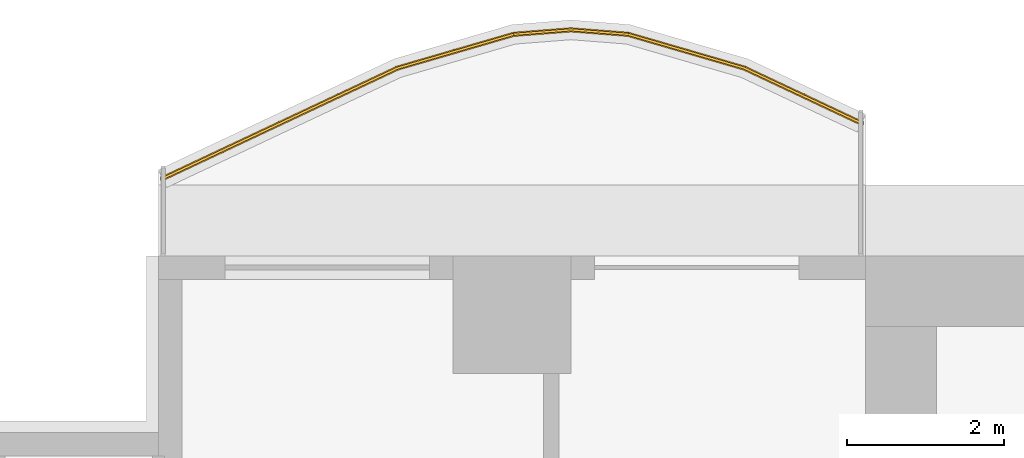
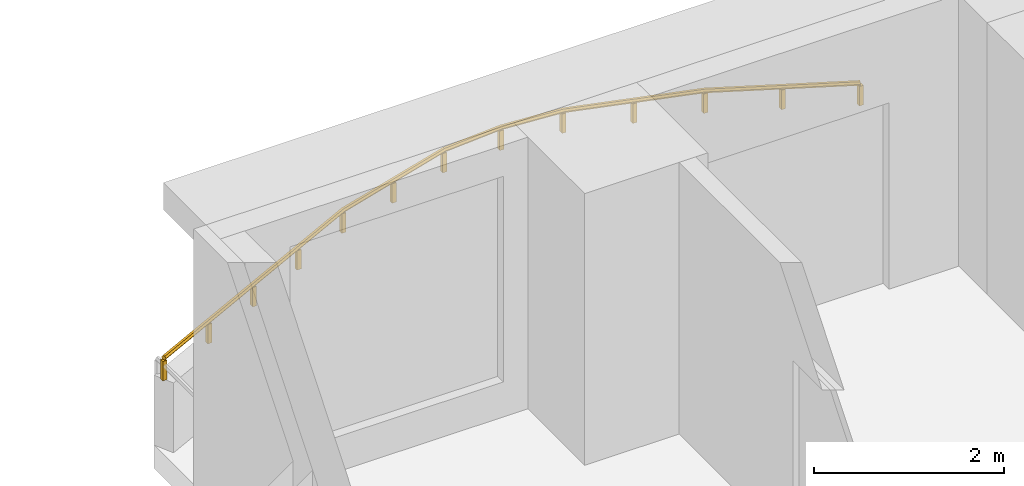
# One storey, part 13 of 14: 1 railing.
"""IFC4 building model written with IfcOpenShell, lengths in metres."""

from ifc_helpers import new_model, si_unit, direction, frame, origin, origin_2d, place, context, subcontext, project, spatial, polyline, rectangle, outline, extrude, material, type_object, element, save


model = new_model("IFC4")

# Units and contexts
model_context = context("Model", 3, precision=1e-05, world=origin(), true_north=direction((0.0, 1.0)))
body_context = subcontext(model_context, "Body", "Model", "MODEL_VIEW")
ifc_project = project(units=[si_unit("LENGTHUNIT", "METRE"), si_unit("AREAUNIT", "SQUARE_METRE"), si_unit("VOLUMEUNIT", "CUBIC_METRE"), si_unit("PLANEANGLEUNIT", "RADIAN"), si_unit("MASSUNIT", "GRAM", prefix="KILO")], contexts=[model_context])

# Site, building, storey
site_placement = place(None, origin())
site = spatial("IfcSite", under=ifc_project, at=site_placement, CompositionType="ELEMENT")
building_placement = place(site_placement, origin())
building = spatial("IfcBuilding", under=site, at=building_placement, Name="Orbiselva Terraces", CompositionType="ELEMENT")
storey_placement = place(building_placement, frame((0.0, 0.0, 15.0)))
storey = spatial("IfcBuildingStorey", under=building, at=storey_placement, Name="L03", CompositionType="ELEMENT", Elevation=15.0)

# Railing
ifc_material = material(Name="Bonded two-ply safety glass balustrade, stainless steel posts", Category="steel")
railing_type = type_object("IfcRailingType", Name="ENV-BALUSTRADE-1200", PredefinedType="BALUSTRADE", material=ifc_material)
railing_placement = place(storey_placement, frame((-13.553191, 24.186882, 0.9)))
element("IfcRailing", 1, at=railing_placement, inside=storey, type_object=railing_type, Name="Balcony balustrade L03 NW", PredefinedType="BALUSTRADE", context=body_context, shape_type="SweptSolid", body=[
    extrude(outline(polyline([(0.028868, 0.0), (0.014434, 0.025), (-0.014434, 0.025), (-0.028868, 0.0), (-0.014434, -0.025), (0.014434, -0.025), (0.028868, 0.0)])), frame((0.0, 0.0, 0.275), z_axis=(-0.904944359461, 0.425529912322, 0.0), x_axis=(-0.425529912322, -0.904944359461, 0.0)), (0.0, 0.0, 1.0), 1.647746),
    extrude(outline(polyline([(0.028868, 0.0), (0.014434, 0.025), (-0.014434, 0.025), (-0.028868, 0.0), (-0.014434, -0.025), (0.014434, -0.025), (0.028868, 0.0)])), frame((-1.491118, 0.701165, 0.275), z_axis=(-0.960270317007, 0.279071528957, 0.0), x_axis=(-0.279071528957, -0.960270317007, 0.0)), (0.0, 0.0, 1.0), 1.539408),
    extrude(outline(polyline([(0.028868, 0.0), (0.014434, 0.025), (-0.014434, 0.025), (-0.028868, 0.0), (-0.014434, -0.025), (0.014434, -0.025), (0.028868, 0.0)])), frame((-2.969366, 1.13077, 0.275), z_axis=(-0.996947916106, 0.078069536776, 0.0), x_axis=(-0.078069536776, -0.996947916106, 0.0)), (0.0, 0.0, 1.0), 0.72967),
    extrude(outline(polyline([(0.028868, 0.0), (0.014434, 0.025), (-0.014434, 0.025), (-0.028868, 0.0), (-0.014434, -0.025), (0.014434, -0.025), (0.028868, 0.0)])), frame((-3.696809, 1.187735, 0.275), z_axis=(-0.996947916106, -0.078069536776, 0.0), x_axis=(0.078069536776, -0.996947916106, 0.0)), (0.0, 0.0, 1.0), 0.72967),
    extrude(outline(polyline([(0.028868, 0.0), (0.014434, 0.025), (-0.014434, 0.025), (-0.028868, 0.0), (-0.014434, -0.025), (0.014434, -0.025), (0.028868, 0.0)])), frame((-4.424252, 1.13077, 0.275), z_axis=(-0.960270317007, -0.279071528957, 0.0), x_axis=(0.279071528957, -0.960270317007, 0.0)), (0.0, 0.0, 1.0), 1.539408),
    extrude(outline(polyline([(0.028868, 0.0), (0.014434, 0.025), (-0.014434, 0.025), (-0.028868, 0.0), (-0.014434, -0.025), (0.014434, -0.025), (0.028868, 0.0)])), frame((-5.9025, 0.701165, 0.275), z_axis=(-0.904944359461, -0.425529912322, 0.0), x_axis=(0.425529912322, -0.904944359461, 0.0)), (0.0, 0.0, 1.0), 1.647746),
    extrude(outline(polyline([(0.028868, 0.0), (0.014434, 0.025), (-0.014434, 0.025), (-0.028868, 0.0), (-0.014434, -0.025), (0.014434, -0.025), (0.028868, 0.0)])), frame((-7.393618, 0.0, 0.275), z_axis=(-0.904944257823, -0.425530128467, 0.0), x_axis=(0.425530128467, -0.904944257823, 0.0)), (0.0, 0.0, 1.0), 1.657561),
    extrude(rectangle(XDim=0.05, YDim=0.05, at=origin_2d()), origin(), (0.0, 0.0, 1.0), 0.25),
    extrude(rectangle(XDim=0.05, YDim=0.05, at=origin_2d()), frame((-0.745559, 0.350582, 0.0)), (0.0, 0.0, 1.0), 0.25),
    extrude(rectangle(XDim=0.05, YDim=0.05, at=origin_2d()), frame((-1.491118, 0.701165, 0.0)), (0.0, 0.0, 1.0), 0.25),
    extrude(rectangle(XDim=0.05, YDim=0.05, at=origin_2d()), frame((-2.230242, 0.915967, 0.0)), (0.0, 0.0, 1.0), 0.25),
    extrude(rectangle(XDim=0.05, YDim=0.05, at=origin_2d()), frame((-2.969366, 1.13077, 0.0)), (0.0, 0.0, 1.0), 0.25),
    extrude(rectangle(XDim=0.05, YDim=0.05, at=origin_2d()), frame((-3.696809, 1.187735, 0.0)), (0.0, 0.0, 1.0), 0.25),
    extrude(rectangle(XDim=0.05, YDim=0.05, at=origin_2d()), frame((-4.424252, 1.13077, 0.0)), (0.0, 0.0, 1.0), 0.25),
    extrude(rectangle(XDim=0.05, YDim=0.05, at=origin_2d()), frame((-5.163376, 0.915967, 0.0)), (0.0, 0.0, 1.0), 0.25),
    extrude(rectangle(XDim=0.05, YDim=0.05, at=origin_2d()), frame((-5.9025, 0.701165, 0.0)), (0.0, 0.0, 1.0), 0.25),
    extrude(rectangle(XDim=0.05, YDim=0.05, at=origin_2d()), frame((-6.648059, 0.350582, 0.0)), (0.0, 0.0, 1.0), 0.25),
    extrude(rectangle(XDim=0.05, YDim=0.05, at=origin_2d()), frame((-7.393618, 0.0, 0.0)), (0.0, 0.0, 1.0), 0.25),
    extrude(rectangle(XDim=0.05, YDim=0.05, at=origin_2d()), frame((-8.143618, -0.352671, 0.0)), (0.0, 0.0, 1.0), 0.25),
    extrude(rectangle(XDim=0.05, YDim=0.05, at=origin_2d()), frame((-8.893618, -0.705342, 0.0)), (0.0, 0.0, 1.0), 0.25),
])

save(model, "model.ifc")
